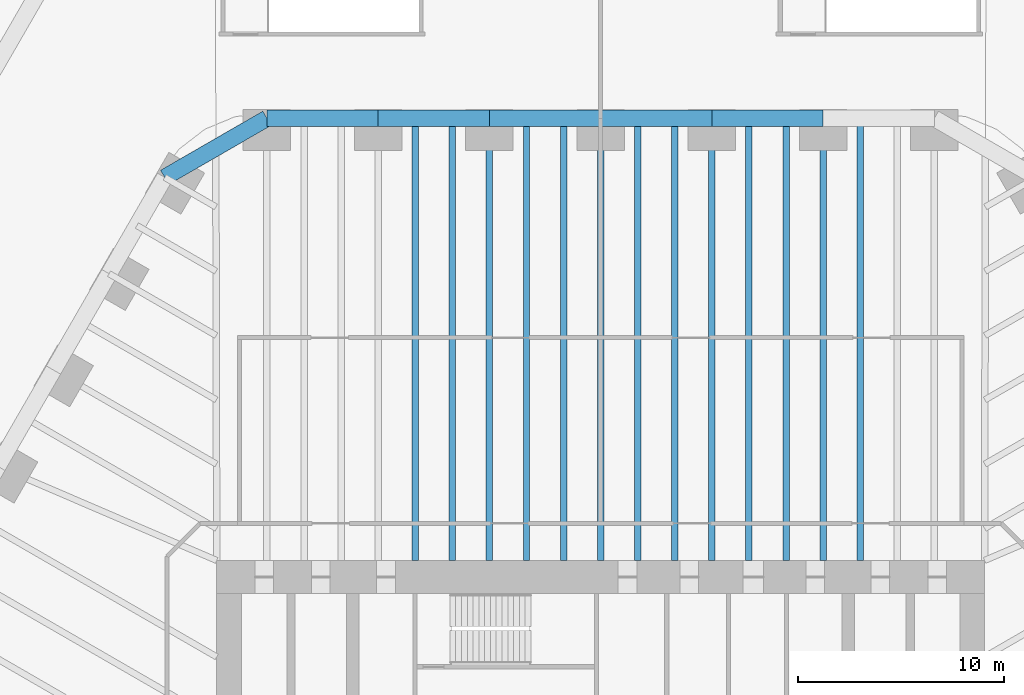
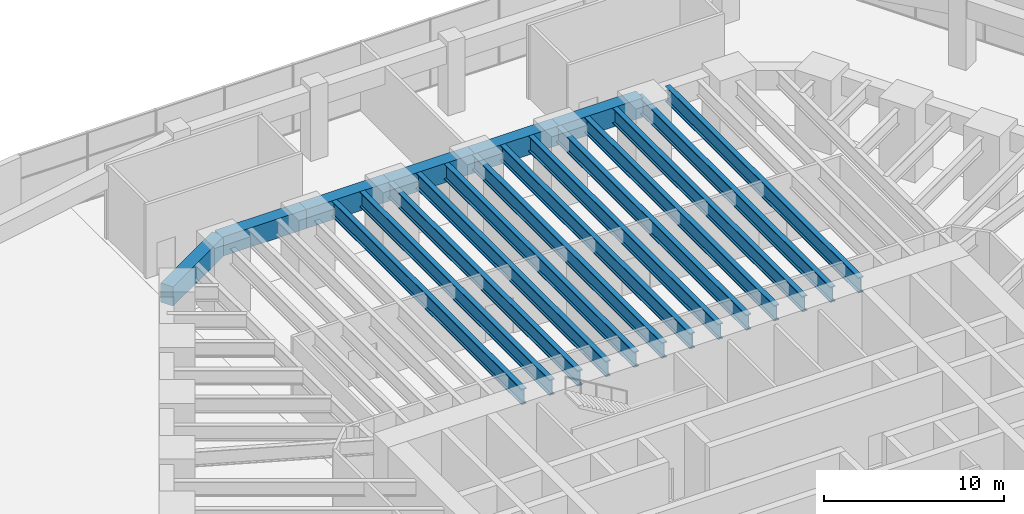
# One storey, part 17 of 31: 19 beams.
"""IFC4 building model written with IfcOpenShell, lengths in metres."""

from ifc_helpers import new_model, si_unit, direction, frame, origin, origin_2d, place, context, subcontext, project, spatial, rectangle, i_section, extrude, material, material_profile, profile_set, type_object, element, save


model = new_model("IFC4")

# Units and contexts
model_context = context("Model", 3, precision=1e-05, world=origin(), true_north=direction((0.0, 1.0)))
body_context = subcontext(model_context, "Body", "Model", "MODEL_VIEW")
ifc_project = project(units=[si_unit("LENGTHUNIT", "METRE"), si_unit("AREAUNIT", "SQUARE_METRE"), si_unit("VOLUMEUNIT", "CUBIC_METRE"), si_unit("PLANEANGLEUNIT", "RADIAN"), si_unit("MASSUNIT", "GRAM", prefix="KILO")], contexts=[model_context])

# Site, building, storey
site_placement = place(None, origin())
site = spatial("IfcSite", under=ifc_project, at=site_placement, CompositionType="ELEMENT")
building_placement = place(site_placement, origin())
building = spatial("IfcBuilding", under=site, at=building_placement, Name="Tarfa Lantern Tower", CompositionType="ELEMENT")
storey_placement = place(building_placement, frame((0.0, 0.0, 18.5)))
storey = spatial("IfcBuildingStorey", under=building, at=storey_placement, Name="L03", CompositionType="ELEMENT", Elevation=18.5)

# Beams
ifc_material_1 = material(Name="Concrete C80/95", Category="concrete")
ifc_material_profile_1 = material_profile(ifc_material_1, rectangle(XDim=0.800048828125, YDim=1.300048828125, at=origin_2d()), Name="RC 800x1300")
ifc_profile_set_1 = profile_set([ifc_material_profile_1], Name="Concrete C80/95")
beam_type_1 = type_object("IfcBeamType", Name="EB1 RC 800x1300", PredefinedType="SPANDREL", material=ifc_profile_set_1)
beam_1_placement = place(storey_placement, frame((10.777099609375, 33.719970703125, 4.0), z_axis=(-1.0, 0.0, 0.0), x_axis=(0.0, -1.0, 0.0)))
element("IfcBeam", 1, at=beam_1_placement, inside=storey, type_object=beam_type_1, Name="Edge beam N1", PredefinedType="SPANDREL", context=body_context, shape_type="SweptSolid", body=[
    extrude(rectangle(XDim=0.800048828125, YDim=1.300048828125, at=origin_2d()), origin(), (0.0, 0.0, 1.0), 5.388427734375),
])
for number, where, z_axis, x_axis, name in (
    (2, (5.388671875, 33.719970703125, 4.0), (-1.0, 0.0, 0.0), (0.0, -1.0, 0.0), "Edge beam N2"),
    (3, (0.0, 33.719970703125, 4.0), (-1.0, 0.0, 0.0), (0.0, -1.0, 0.0), "Edge beam N3"),
):
    element("IfcBeam", number, at=place(storey_placement, frame(where, z_axis=z_axis, x_axis=x_axis)), inside=storey, type_object=beam_type_1, Name=name, PredefinedType="SPANDREL", context=body_context, shape_type="SweptSolid", body=[
        extrude(rectangle(XDim=0.800048828125, YDim=1.300048828125, at=origin_2d()), origin(), (0.0, 0.0, 1.0), 5.388671875),
    ])
beam_2_placement = place(storey_placement, frame((-5.388671875, 33.719970703125, 4.0), z_axis=(-1.0, 0.0, 0.0), x_axis=(0.0, -1.0, 0.0)))
element("IfcBeam", 4, at=beam_2_placement, inside=storey, type_object=beam_type_1, Name="Edge beam N4", PredefinedType="SPANDREL", context=body_context, shape_type="SweptSolid", body=[
    extrude(rectangle(XDim=0.800048828125, YDim=1.300048828125, at=origin_2d()), origin(), (0.0, 0.0, 1.0), 5.388427734375),
])
beam_3_placement = place(storey_placement, frame((-10.777099609375, 33.719970703125, 4.0), z_axis=(-1.0, 0.0, 0.0), x_axis=(0.0, -1.0, 0.0)))
element("IfcBeam", 5, at=beam_3_placement, inside=storey, type_object=beam_type_1, Name="Edge beam N5", PredefinedType="SPANDREL", context=body_context, shape_type="SweptSolid", body=[
    extrude(rectangle(XDim=0.800048828125, YDim=1.300048828125, at=origin_2d()), origin(), (0.0, 0.0, 1.0), 5.388671875),
])
beam_4_placement = place(storey_placement, frame((-16.165771484375, 33.719970703125, 4.0), z_axis=(-0.866033479681, -0.499986011877, 0.0), x_axis=(0.499986011877, -0.866033479681, 0.0)))
element("IfcBeam", 6, at=beam_4_placement, inside=storey, type_object=beam_type_1, Name="Edge beam N6", PredefinedType="SPANDREL", context=body_context, shape_type="SweptSolid", body=[
    extrude(rectangle(XDim=0.800048828125, YDim=1.300048828125, at=origin_2d()), origin(), (0.0, 0.0, 1.0), 5.719970703125),
])
ifc_material_2 = material(Name="Steel S460M", Category="steel")
ifc_material_profile_2 = material_profile(ifc_material_2, i_section(OverallWidth=0.314208984375, OverallDepth=1.055908203125, WebThickness=0.035888671875, FlangeThickness=0.06396484375, FilletRadius=0.030029296875, at=origin_2d()), Name="UB1016x305x584")
ifc_profile_set_2 = profile_set([ifc_material_profile_2], Name="Steel S460M")
beam_type_2 = type_object("IfcBeamType", Name="UB1016x305x584", PredefinedType="BEAM", material=ifc_profile_set_2)
for number, where, z_axis, x_axis, name in (
    (7, (10.777099609375, 33.719970703125, 4.1220703125), (0.0, -1.0, 0.0), (1.0, 0.0, 0.0), "Floor beam N1"),
    (8, (5.388671875, 33.719970703125, 4.1220703125), (0.0, -1.0, 0.0), (1.0, 0.0, 0.0), "Floor beam N2"),
    (9, (0.0, 33.719970703125, 4.1220703125), (0.0, -1.0, 0.0), (1.0, 0.0, 0.0), "Floor beam N3"),
    (10, (-5.388671875, 33.719970703125, 4.1220703125), (0.0, -1.0, 0.0), (1.0, 0.0, 0.0), "Floor beam N4"),
    (11, (12.573486328125, 33.719970703125, 4.1220703125), (0.0, -1.0, 0.0), (1.0, 0.0, 0.0), "Floor beam N0M2"),
    (12, (8.98095703125, 33.719970703125, 4.1220703125), (0.0, -1.0, 0.0), (1.0, 0.0, 0.0), "Floor beam N1M1"),
    (13, (7.184814453125, 33.719970703125, 4.1220703125), (0.0, -1.0, 0.0), (1.0, 0.0, 0.0), "Floor beam N1M2"),
    (14, (3.59228515625, 33.719970703125, 4.1220703125), (0.0, -1.0, 0.0), (1.0, 0.0, 0.0), "Floor beam N2M1"),
    (15, (1.796142578125, 33.719970703125, 4.1220703125), (0.0, -1.0, 0.0), (1.0, 0.0, 0.0), "Floor beam N2M2"),
    (16, (-1.796142578125, 33.719970703125, 4.1220703125), (0.0, -1.0, 0.0), (1.0, 0.0, 0.0), "Floor beam N3M1"),
    (17, (-3.59228515625, 33.719970703125, 4.1220703125), (0.0, -1.0, 0.0), (1.0, 0.0, 0.0), "Floor beam N3M2"),
    (18, (-7.184814453125, 33.719970703125, 4.1220703125), (0.0, -1.0, 0.0), (1.0, 0.0, 0.0), "Floor beam N4M1"),
    (19, (-8.98095703125, 33.719970703125, 4.1220703125), (0.0, -1.0, 0.0), (1.0, 0.0, 0.0), "Floor beam N4M2"),
):
    element("IfcBeam", number, at=place(storey_placement, frame(where, z_axis=z_axis, x_axis=x_axis)), inside=storey, type_object=beam_type_2, Name=name, PredefinedType="BEAM", context=body_context, shape_type="SweptSolid", body=[
        extrude(i_section(OverallWidth=0.314208984375, OverallDepth=1.055908203125, WebThickness=0.035888671875, FlangeThickness=0.06396484375, FilletRadius=0.030029296875, at=origin_2d()), origin(), (0.0, 0.0, 1.0), 21.419921875),
    ])

save(model, "model.ifc")
